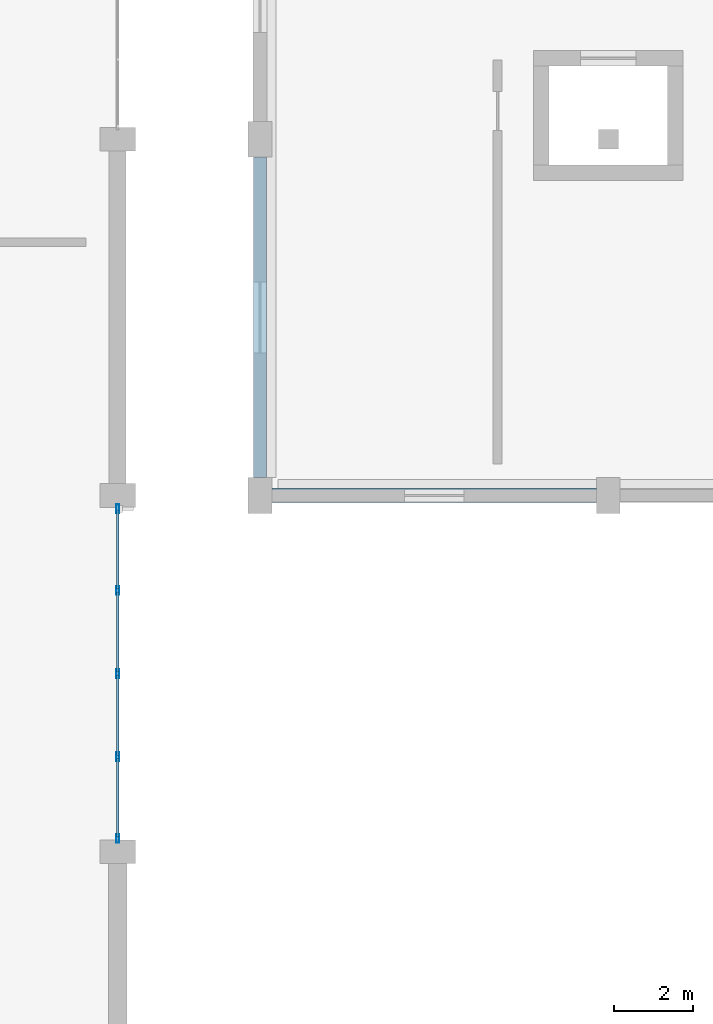
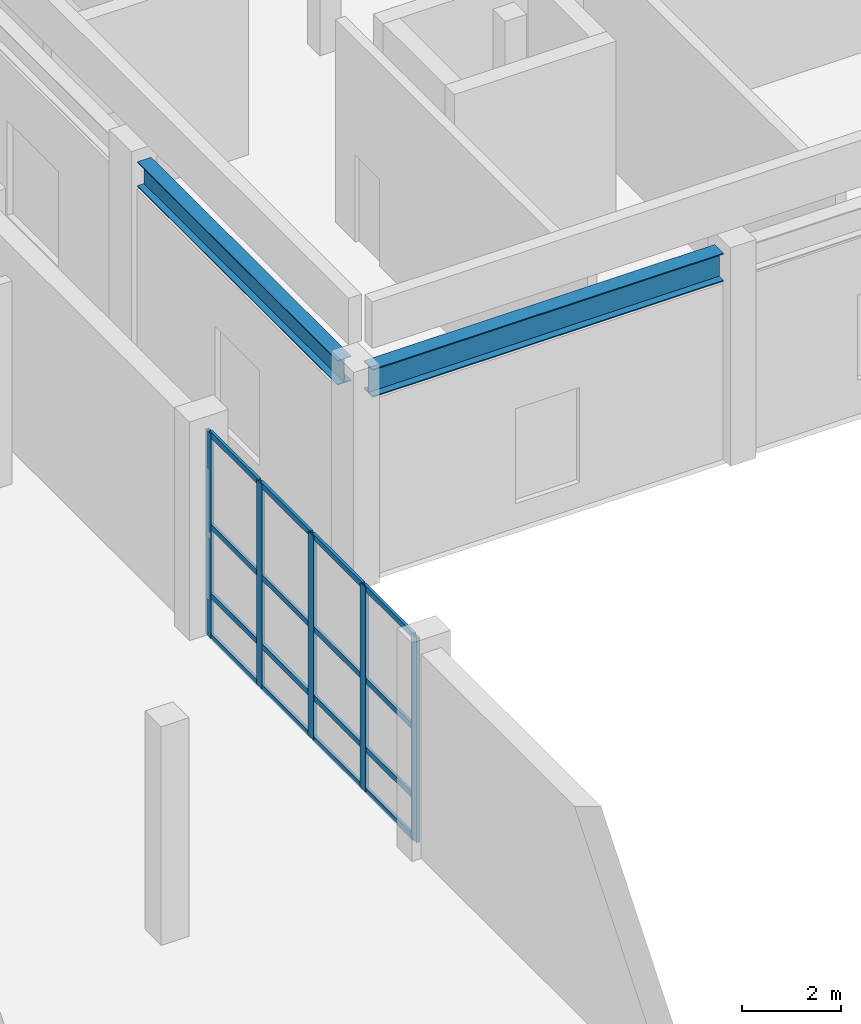
# One storey, part 14 of 41: 21 members, 2 beams, 1 element without a shape of its own.
"""IFC4 building model written with IfcOpenShell, lengths in metres."""

from ifc_helpers import new_model, si_unit, direction, frame, origin, origin_2d, place, context, subcontext, project, spatial, hollow_rectangle, i_section, extrude, material, layer, layer_set, material_profile, profile_set, type_object, element, aggregate, save


model = new_model("IFC4")

# Units and contexts
model_context = context("Model", 3, precision=1e-05, world=origin(), true_north=direction((0.0, 1.0)))
body_context = subcontext(model_context, "Body", "Model", "MODEL_VIEW")
ifc_project = project(units=[si_unit("LENGTHUNIT", "METRE"), si_unit("AREAUNIT", "SQUARE_METRE"), si_unit("VOLUMEUNIT", "CUBIC_METRE"), si_unit("PLANEANGLEUNIT", "RADIAN"), si_unit("MASSUNIT", "GRAM", prefix="KILO")], contexts=[model_context])

# Site, building, storey
site_placement = place(None, origin())
site = spatial("IfcSite", under=ifc_project, at=site_placement, CompositionType="ELEMENT")
building_placement = place(site_placement, origin())
building = spatial("IfcBuilding", under=site, at=building_placement, Name="Vaelkrest Opera House", CompositionType="ELEMENT")
storey_placement = place(building_placement, frame((0.0, 0.0, 24.60009765625)))
storey = spatial("IfcBuildingStorey", under=building, at=storey_placement, Name="L05", CompositionType="ELEMENT", Elevation=24.60009765625)

# Curtain wall, members
ifc_material_1 = material(Name="Dark bronze anodized aluminium", Category="aluminium")
ifc_layer = layer(ifc_material_1, 0.239990234375)
ifc_layer_set = layer_set([ifc_layer], Name="Dark bronze anodized aluminium")
curtain_wall_type = type_object("IfcCurtainWallType", Name="CW07", PredefinedType="NOTDEFINED", material=ifc_layer_set)
curtain_wall_placement = place(storey_placement, origin())
curtain_wall = element("IfcCurtainWall", 1, at=curtain_wall_placement, inside=storey, type_object=curtain_wall_type, Name="Curtain wall CW-L05-078", PredefinedType="NOTDEFINED")
ifc_material_profile_1 = material_profile(ifc_material_1, hollow_rectangle(XDim=0.074951171875, YDim=0.219970703125, WallThickness=0.00439453125, at=origin_2d()), Name="CWM75X220")
ifc_profile_set_1 = profile_set([ifc_material_profile_1], Name="Dark bronze anodized aluminium")
member_type_1 = type_object("IfcMemberType", Name="CWM03", PredefinedType="MULLION", material=ifc_profile_set_1)
member_1_placement = place(storey_placement, frame((30.0, 0.864501953125, 0.0), z_axis=(0.0, 0.0, 1.0), x_axis=(1.0, 0.0, 0.0)))
member_1 = element("IfcMember", 2, at=member_1_placement, type_object=member_type_1, Name="CW07 mullion 1", PredefinedType="MULLION", context=body_context, shape_type="SweptSolid", body=[
    extrude(hollow_rectangle(XDim=0.074951171875, YDim=0.219970703125, WallThickness=0.00439453125, at=origin_2d()), origin(), (0.0, 0.0, 1.0), 5.0498046875),
])
member_2_placement = place(storey_placement, frame((30.0, -1.198974609375, 0.0), z_axis=(0.0, 0.0, 1.0), x_axis=(1.0, 0.0, 0.0)))
member_2 = element("IfcMember", 3, at=member_2_placement, type_object=member_type_1, Name="CW07 mullion 2", PredefinedType="MULLION", context=body_context, shape_type="SweptSolid", body=[
    extrude(hollow_rectangle(XDim=0.074951171875, YDim=0.219970703125, WallThickness=0.00439453125, at=origin_2d()), origin(), (0.0, 0.0, 1.0), 5.0498046875),
])
member_3_placement = place(storey_placement, frame((30.0, -3.300048828125, 0.0), z_axis=(0.0, 0.0, 1.0), x_axis=(1.0, 0.0, 0.0)))
member_3 = element("IfcMember", 4, at=member_3_placement, type_object=member_type_1, Name="CW07 mullion 3", PredefinedType="MULLION", context=body_context, shape_type="SweptSolid", body=[
    extrude(hollow_rectangle(XDim=0.074951171875, YDim=0.219970703125, WallThickness=0.00439453125, at=origin_2d()), origin(), (0.0, 0.0, 1.0), 5.0498046875),
])
member_4_placement = place(storey_placement, frame((30.0, -5.40087890625, 0.0), z_axis=(0.0, 0.0, 1.0), x_axis=(1.0, 0.0, 0.0)))
member_4 = element("IfcMember", 5, at=member_4_placement, type_object=member_type_1, Name="CW07 mullion 4", PredefinedType="MULLION", context=body_context, shape_type="SweptSolid", body=[
    extrude(hollow_rectangle(XDim=0.074951171875, YDim=0.219970703125, WallThickness=0.00439453125, at=origin_2d()), origin(), (0.0, 0.0, 1.0), 5.0498046875),
])
member_5_placement = place(storey_placement, frame((30.0, -7.464599609375, 0.0), z_axis=(0.0, 0.0, 1.0), x_axis=(1.0, 0.0, 0.0)))
member_5 = element("IfcMember", 6, at=member_5_placement, type_object=member_type_1, Name="CW07 mullion 5", PredefinedType="MULLION", context=body_context, shape_type="SweptSolid", body=[
    extrude(hollow_rectangle(XDim=0.074951171875, YDim=0.219970703125, WallThickness=0.00439453125, at=origin_2d()), origin(), (0.0, 0.0, 1.0), 5.0498046875),
])
ifc_material_profile_2 = material_profile(ifc_material_1, hollow_rectangle(XDim=0.06494140625, YDim=0.139892578125, WallThickness=0.00390625, at=origin_2d()), Name="CWT65X140")
ifc_profile_set_2 = profile_set([ifc_material_profile_2], Name="Dark bronze anodized aluminium")
member_type_2 = type_object("IfcMemberType", Name="CWT01", PredefinedType="USERDEFINED", material=ifc_profile_set_2)
member_6_placement = place(storey_placement, frame((30.0, 0.826904296875, 0.032470703125), z_axis=(0.0, -1.0, 0.0), x_axis=(1.0, 0.0, 0.0)))
member_6 = element("IfcMember", 7, at=member_6_placement, type_object=member_type_2, Name="CW07 transom 1.1", ObjectType="TRANSOM", PredefinedType="USERDEFINED", context=body_context, shape_type="SweptSolid", body=[
    extrude(hollow_rectangle(XDim=0.06494140625, YDim=0.139892578125, WallThickness=0.00390625, at=origin_2d()), origin(), (0.0, 0.0, 1.0), 1.988525390625),
])
member_7_placement = place(storey_placement, frame((30.0, 0.826904296875, 1.0498046875), z_axis=(0.0, -1.0, 0.0), x_axis=(1.0, 0.0, 0.0)))
member_7 = element("IfcMember", 8, at=member_7_placement, type_object=member_type_2, Name="CW07 transom 1.2", ObjectType="TRANSOM", PredefinedType="USERDEFINED", context=body_context, shape_type="SweptSolid", body=[
    extrude(hollow_rectangle(XDim=0.06494140625, YDim=0.139892578125, WallThickness=0.00390625, at=origin_2d()), origin(), (0.0, 0.0, 1.0), 1.988525390625),
])
member_8_placement = place(storey_placement, frame((30.0, 0.826904296875, 2.75), z_axis=(0.0, -1.0, 0.0), x_axis=(1.0, 0.0, 0.0)))
member_8 = element("IfcMember", 9, at=member_8_placement, type_object=member_type_2, Name="CW07 transom 1.3", ObjectType="TRANSOM", PredefinedType="USERDEFINED", context=body_context, shape_type="SweptSolid", body=[
    extrude(hollow_rectangle(XDim=0.06494140625, YDim=0.139892578125, WallThickness=0.00390625, at=origin_2d()), origin(), (0.0, 0.0, 1.0), 1.988525390625),
])
member_9_placement = place(storey_placement, frame((30.0, 0.826904296875, 5.017333984375), z_axis=(0.0, -1.0, 0.0), x_axis=(1.0, 0.0, 0.0)))
member_9 = element("IfcMember", 10, at=member_9_placement, type_object=member_type_2, Name="CW07 transom 1.4", ObjectType="TRANSOM", PredefinedType="USERDEFINED", context=body_context, shape_type="SweptSolid", body=[
    extrude(hollow_rectangle(XDim=0.06494140625, YDim=0.139892578125, WallThickness=0.00390625, at=origin_2d()), origin(), (0.0, 0.0, 1.0), 1.988525390625),
])
member_10_placement = place(storey_placement, frame((30.0, -1.236572265625, 0.032470703125), z_axis=(0.0, -1.0, 0.0), x_axis=(1.0, 0.0, 0.0)))
member_10 = element("IfcMember", 11, at=member_10_placement, type_object=member_type_2, Name="CW07 transom 2.1", ObjectType="TRANSOM", PredefinedType="USERDEFINED", context=body_context, shape_type="SweptSolid", body=[
    extrude(hollow_rectangle(XDim=0.06494140625, YDim=0.139892578125, WallThickness=0.00390625, at=origin_2d()), origin(), (0.0, 0.0, 1.0), 2.02587890625),
])
member_11_placement = place(storey_placement, frame((30.0, -1.236572265625, 1.0498046875), z_axis=(0.0, -1.0, 0.0), x_axis=(1.0, 0.0, 0.0)))
member_11 = element("IfcMember", 12, at=member_11_placement, type_object=member_type_2, Name="CW07 transom 2.2", ObjectType="TRANSOM", PredefinedType="USERDEFINED", context=body_context, shape_type="SweptSolid", body=[
    extrude(hollow_rectangle(XDim=0.06494140625, YDim=0.139892578125, WallThickness=0.00390625, at=origin_2d()), origin(), (0.0, 0.0, 1.0), 2.02587890625),
])
member_12_placement = place(storey_placement, frame((30.0, -1.236572265625, 2.75), z_axis=(0.0, -1.0, 0.0), x_axis=(1.0, 0.0, 0.0)))
member_12 = element("IfcMember", 13, at=member_12_placement, type_object=member_type_2, Name="CW07 transom 2.3", ObjectType="TRANSOM", PredefinedType="USERDEFINED", context=body_context, shape_type="SweptSolid", body=[
    extrude(hollow_rectangle(XDim=0.06494140625, YDim=0.139892578125, WallThickness=0.00390625, at=origin_2d()), origin(), (0.0, 0.0, 1.0), 2.02587890625),
])
member_13_placement = place(storey_placement, frame((30.0, -1.236572265625, 5.017333984375), z_axis=(0.0, -1.0, 0.0), x_axis=(1.0, 0.0, 0.0)))
member_13 = element("IfcMember", 14, at=member_13_placement, type_object=member_type_2, Name="CW07 transom 2.4", ObjectType="TRANSOM", PredefinedType="USERDEFINED", context=body_context, shape_type="SweptSolid", body=[
    extrude(hollow_rectangle(XDim=0.06494140625, YDim=0.139892578125, WallThickness=0.00390625, at=origin_2d()), origin(), (0.0, 0.0, 1.0), 2.02587890625),
])
member_14_placement = place(storey_placement, frame((30.0, -3.33740234375, 0.032470703125), z_axis=(0.0, -1.0, 0.0), x_axis=(1.0, 0.0, 0.0)))
member_14 = element("IfcMember", 15, at=member_14_placement, type_object=member_type_2, Name="CW07 transom 3.1", ObjectType="TRANSOM", PredefinedType="USERDEFINED", context=body_context, shape_type="SweptSolid", body=[
    extrude(hollow_rectangle(XDim=0.06494140625, YDim=0.139892578125, WallThickness=0.00390625, at=origin_2d()), origin(), (0.0, 0.0, 1.0), 2.026123046875),
])
member_15_placement = place(storey_placement, frame((30.0, -3.33740234375, 1.0498046875), z_axis=(0.0, -1.0, 0.0), x_axis=(1.0, 0.0, 0.0)))
member_15 = element("IfcMember", 16, at=member_15_placement, type_object=member_type_2, Name="CW07 transom 3.2", ObjectType="TRANSOM", PredefinedType="USERDEFINED", context=body_context, shape_type="SweptSolid", body=[
    extrude(hollow_rectangle(XDim=0.06494140625, YDim=0.139892578125, WallThickness=0.00390625, at=origin_2d()), origin(), (0.0, 0.0, 1.0), 2.026123046875),
])
member_16_placement = place(storey_placement, frame((30.0, -3.33740234375, 2.75), z_axis=(0.0, -1.0, 0.0), x_axis=(1.0, 0.0, 0.0)))
member_16 = element("IfcMember", 17, at=member_16_placement, type_object=member_type_2, Name="CW07 transom 3.3", ObjectType="TRANSOM", PredefinedType="USERDEFINED", context=body_context, shape_type="SweptSolid", body=[
    extrude(hollow_rectangle(XDim=0.06494140625, YDim=0.139892578125, WallThickness=0.00390625, at=origin_2d()), origin(), (0.0, 0.0, 1.0), 2.026123046875),
])
member_17_placement = place(storey_placement, frame((30.0, -3.33740234375, 5.017333984375), z_axis=(0.0, -1.0, 0.0), x_axis=(1.0, 0.0, 0.0)))
member_17 = element("IfcMember", 18, at=member_17_placement, type_object=member_type_2, Name="CW07 transom 3.4", ObjectType="TRANSOM", PredefinedType="USERDEFINED", context=body_context, shape_type="SweptSolid", body=[
    extrude(hollow_rectangle(XDim=0.06494140625, YDim=0.139892578125, WallThickness=0.00390625, at=origin_2d()), origin(), (0.0, 0.0, 1.0), 2.026123046875),
])
member_18_placement = place(storey_placement, frame((30.0, -5.4384765625, 0.032470703125), z_axis=(0.0, -1.0, 0.0), x_axis=(1.0, 0.0, 0.0)))
member_18 = element("IfcMember", 19, at=member_18_placement, type_object=member_type_2, Name="CW07 transom 4.1", ObjectType="TRANSOM", PredefinedType="USERDEFINED", context=body_context, shape_type="SweptSolid", body=[
    extrude(hollow_rectangle(XDim=0.06494140625, YDim=0.139892578125, WallThickness=0.00390625, at=origin_2d()), origin(), (0.0, 0.0, 1.0), 1.988525390625),
])
member_19_placement = place(storey_placement, frame((30.0, -5.4384765625, 1.0498046875), z_axis=(0.0, -1.0, 0.0), x_axis=(1.0, 0.0, 0.0)))
member_19 = element("IfcMember", 20, at=member_19_placement, type_object=member_type_2, Name="CW07 transom 4.2", ObjectType="TRANSOM", PredefinedType="USERDEFINED", context=body_context, shape_type="SweptSolid", body=[
    extrude(hollow_rectangle(XDim=0.06494140625, YDim=0.139892578125, WallThickness=0.00390625, at=origin_2d()), origin(), (0.0, 0.0, 1.0), 1.988525390625),
])
member_20_placement = place(storey_placement, frame((30.0, -5.4384765625, 2.75), z_axis=(0.0, -1.0, 0.0), x_axis=(1.0, 0.0, 0.0)))
member_20 = element("IfcMember", 21, at=member_20_placement, type_object=member_type_2, Name="CW07 transom 4.3", ObjectType="TRANSOM", PredefinedType="USERDEFINED", context=body_context, shape_type="SweptSolid", body=[
    extrude(hollow_rectangle(XDim=0.06494140625, YDim=0.139892578125, WallThickness=0.00390625, at=origin_2d()), origin(), (0.0, 0.0, 1.0), 1.988525390625),
])
member_21_placement = place(storey_placement, frame((30.0, -5.4384765625, 5.017333984375), z_axis=(0.0, -1.0, 0.0), x_axis=(1.0, 0.0, 0.0)))
member_21 = element("IfcMember", 22, at=member_21_placement, type_object=member_type_2, Name="CW07 transom 4.4", ObjectType="TRANSOM", PredefinedType="USERDEFINED", context=body_context, shape_type="SweptSolid", body=[
    extrude(hollow_rectangle(XDim=0.06494140625, YDim=0.139892578125, WallThickness=0.00390625, at=origin_2d()), origin(), (0.0, 0.0, 1.0), 1.988525390625),
])
aggregate(curtain_wall, [member_1, member_2, member_3, member_4, member_5, member_6, member_7, member_8, member_9, member_10, member_11, member_12, member_13, member_14, member_15, member_16, member_17, member_18, member_19, member_20, member_21])

# Beams
ifc_material_2 = material(Name="Steel A992 Gr50", Category="steel")
ifc_material_profile_3 = material_profile(ifc_material_2, i_section(OverallWidth=0.323974609375, OverallDepth=0.611083984375, WebThickness=0.0126953125, FlangeThickness=0.01904296875, at=origin_2d()), Name="W24X104")
ifc_profile_set_3 = profile_set([ifc_material_profile_3], Name="Steel A992 Gr50")
beam_type_1 = type_object("IfcBeamType", Name="SP01", PredefinedType="SPANDREL", material=ifc_profile_set_3)
beam_1_placement = place(storey_placement, frame((33.60009765625, 1.64990234375, 4.79931640625), z_axis=(0.0, 1.0, 0.0), x_axis=(-1.0, 0.0, 0.0)))
element("IfcBeam", 23, at=beam_1_placement, inside=storey, type_object=beam_type_1, Name="Beam BM-V4-L05-2444", PredefinedType="SPANDREL", context=body_context, shape_type="SweptSolid", body=[
    extrude(i_section(OverallWidth=0.323974609375, OverallDepth=0.611083984375, WebThickness=0.0126953125, FlangeThickness=0.01904296875, at=origin_2d()), origin(), (0.0, 0.0, 1.0), 8.10009765625),
])
ifc_material_profile_4 = material_profile(ifc_material_2, i_section(OverallWidth=0.35498046875, OverallDepth=0.695068359375, WebThickness=0.015380859375, FlangeThickness=0.02490234375, at=origin_2d()), Name="W27X146")
ifc_profile_set_4 = profile_set([ifc_material_profile_4], Name="Steel A992 Gr50")
beam_type_2 = type_object("IfcBeamType", Name="SP02", PredefinedType="SPANDREL", material=ifc_profile_set_4)
beam_2_placement = place(storey_placement, frame((33.89990234375, 1.199951171875, 4.75732421875), z_axis=(1.0, 0.0, 0.0), x_axis=(0.0, 1.0, 0.0)))
element("IfcBeam", 24, at=beam_2_placement, inside=storey, type_object=beam_type_2, Name="Beam BM-V4-L05-2433", PredefinedType="SPANDREL", context=body_context, shape_type="SweptSolid", body=[
    extrude(i_section(OverallWidth=0.35498046875, OverallDepth=0.695068359375, WebThickness=0.015380859375, FlangeThickness=0.02490234375, at=origin_2d()), origin(), (0.0, 0.0, 1.0), 8.2001953125),
])

save(model, "model.ifc")
